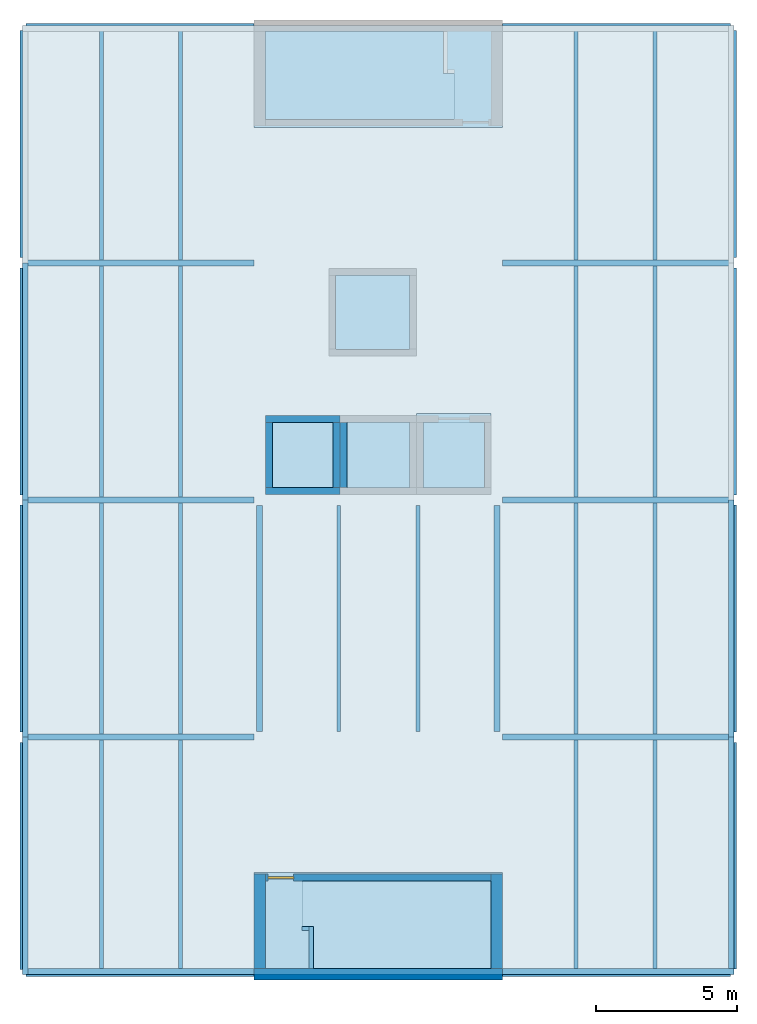
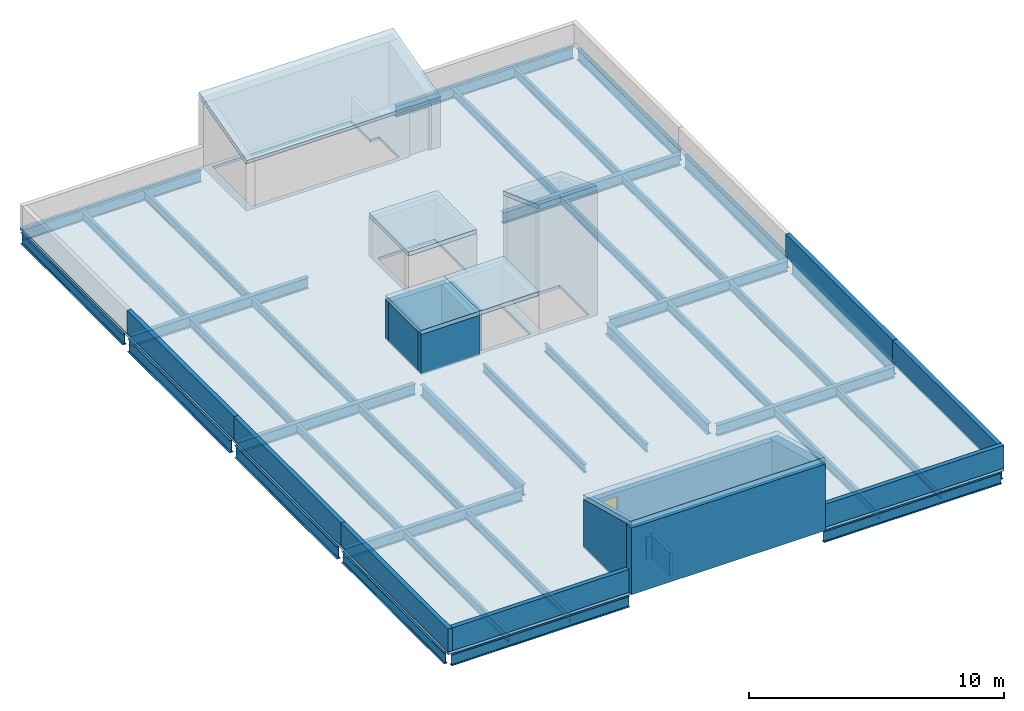
# One storey, part 1 of 3: 38 beams, 18 walls, 7 slabs, 1 door, 1 opening.
"""IFC4 building model written with IfcOpenShell, lengths in metres."""

from ifc_helpers import new_model, si_unit, direction, frame, frame_2d, origin, origin_2d, place, context, subcontext, project, spatial, polyline, rectangle, i_section, outline, extrude, material, layer, layer_set, material_profile, profile_set, type_object, element, fill, save


model = new_model("IFC4")

# Units and contexts
model_context = context("Model", 3, precision=1e-05, world=origin(), true_north=direction((0.0, 1.0)))
body_context = subcontext(model_context, "Body", "Model", "MODEL_VIEW")
ifc_project = project(units=[si_unit("LENGTHUNIT", "METRE"), si_unit("AREAUNIT", "SQUARE_METRE"), si_unit("VOLUMEUNIT", "CUBIC_METRE"), si_unit("PLANEANGLEUNIT", "RADIAN"), si_unit("MASSUNIT", "GRAM", prefix="KILO")], contexts=[model_context])

# Site, building, storey
site_placement = place(None, origin())
site = spatial("IfcSite", under=ifc_project, at=site_placement, CompositionType="ELEMENT")
building_placement = place(site_placement, origin())
building = spatial("IfcBuilding", under=site, at=building_placement, Name="Hlaing Beacon Police Headquarters", CompositionType="ELEMENT")
storey_placement = place(building_placement, frame((0.0, 0.0, 41.39990234375)))
storey = spatial("IfcBuildingStorey", under=building, at=storey_placement, Name="ROOF", CompositionType="ELEMENT", Elevation=41.39990234375)

# Beams
ifc_material_1 = material(Name="Steel ASTM A992 Grade 50", Category="steel")
ifc_material_profile_1 = material_profile(ifc_material_1, i_section(OverallWidth=0.1650390625, OverallDepth=0.52587890625, WebThickness=0.0087890625, FlangeThickness=0.011474609375, FilletRadius=0.0126953125, at=origin_2d()), Name="W21x44")
ifc_profile_set_1 = profile_set([ifc_material_profile_1], Name="Steel ASTM A992 Grade 50")
beam_type_1 = type_object("IfcBeamType", Name="Girder W21x44", PredefinedType="BEAM", material=ifc_profile_set_1)
beam_1_placement = place(storey_placement, frame((100.927001953125, 33.60009765625, -0.392822265625), z_axis=(1.0, 0.0, 0.0), x_axis=(0.0, 1.0, 0.0)))
element("IfcBeam", 1, at=beam_1_placement, inside=storey, type_object=beam_type_1, Name="STR-BM-ROOF-GX-N5-P5", PredefinedType="BEAM", context=body_context, shape_type="SweptSolid", body=[
    extrude(i_section(OverallWidth=0.1650390625, OverallDepth=0.52587890625, WebThickness=0.0087890625, FlangeThickness=0.011474609375, FilletRadius=0.0126953125, at=origin_2d()), origin(), (0.0, 0.0, 1.0), 8.072998046875),
])
beam_2_placement = place(storey_placement, frame((117.800048828125, 33.60009765625, -0.392822265625), z_axis=(1.0, 0.0, 0.0), x_axis=(0.0, 1.0, 0.0)))
element("IfcBeam", 2, at=beam_2_placement, inside=storey, type_object=beam_type_1, Name="STR-BM-ROOF-GX-Q5-R5", PredefinedType="BEAM", context=body_context, shape_type="SweptSolid", body=[
    extrude(i_section(OverallWidth=0.1650390625, OverallDepth=0.52587890625, WebThickness=0.0087890625, FlangeThickness=0.011474609375, FilletRadius=0.0126953125, at=origin_2d()), origin(), (0.0, 0.0, 1.0), 8.072021484375),
])
for number, where, z_axis, x_axis, name in (
    (3, (100.927001953125, 67.199951171875, -0.392822265625), (1.0, 0.0, 0.0), (0.0, 1.0, 0.0), "STR-BM-ROOF-GX-N9-P9"),
    (4, (117.800048828125, 67.199951171875, -0.392822265625), (1.0, 0.0, 0.0), (0.0, 1.0, 0.0), "STR-BM-ROOF-GX-Q9-R9"),
):
    element("IfcBeam", number, at=place(storey_placement, frame(where, z_axis=z_axis, x_axis=x_axis)), inside=storey, type_object=beam_type_1, Name=name, PredefinedType="BEAM", context=body_context, shape_type="SweptSolid", body=[
        extrude(i_section(OverallWidth=0.1650390625, OverallDepth=0.52587890625, WebThickness=0.0087890625, FlangeThickness=0.011474609375, FilletRadius=0.0126953125, at=origin_2d()), origin(), (0.0, 0.0, 1.0), 8.072998046875),
    ])
for number, where, z_axis, x_axis, name in (
    (5, (100.800048828125, 33.777099609375, -0.392822265625), (0.0, 1.0, 0.0), (-1.0, 0.0, 0.0), "STR-BM-ROOF-GY-N5-N6"),
    (6, (100.800048828125, 58.98193359375, -0.392822265625), (0.0, 1.0, 0.0), (-1.0, 0.0, 0.0), "STR-BM-ROOF-GY-N8-N9"),
):
    element("IfcBeam", number, at=place(storey_placement, frame(where, z_axis=z_axis, x_axis=x_axis)), inside=storey, type_object=beam_type_1, Name=name, PredefinedType="BEAM", context=body_context, shape_type="SweptSolid", body=[
        extrude(i_section(OverallWidth=0.1650390625, OverallDepth=0.52587890625, WebThickness=0.0087890625, FlangeThickness=0.011474609375, FilletRadius=0.0126953125, at=origin_2d()), origin(), (0.0, 0.0, 1.0), 8.041015625),
    ])
beam_3_placement = place(storey_placement, frame((126.0, 33.781982421875, -0.392822265625), z_axis=(0.0, 1.0, 0.0), x_axis=(-1.0, 0.0, 0.0)))
element("IfcBeam", 7, at=beam_3_placement, inside=storey, type_object=beam_type_1, Name="STR-BM-ROOF-GY-R5-R6", PredefinedType="BEAM", context=body_context, shape_type="SweptSolid", body=[
    extrude(i_section(OverallWidth=0.1650390625, OverallDepth=0.52587890625, WebThickness=0.0087890625, FlangeThickness=0.011474609375, FilletRadius=0.0126953125, at=origin_2d()), origin(), (0.0, 0.0, 1.0), 8.0361328125),
])
beam_4_placement = place(storey_placement, frame((126.0, 58.98193359375, -0.392822265625), z_axis=(0.0, 1.0, 0.0), x_axis=(-1.0, 0.0, 0.0)))
element("IfcBeam", 8, at=beam_4_placement, inside=storey, type_object=beam_type_1, Name="STR-BM-ROOF-GY-R8-R9", PredefinedType="BEAM", context=body_context, shape_type="SweptSolid", body=[
    extrude(i_section(OverallWidth=0.1650390625, OverallDepth=0.52587890625, WebThickness=0.0087890625, FlangeThickness=0.011474609375, FilletRadius=0.0126953125, at=origin_2d()), origin(), (0.0, 0.0, 1.0), 8.041015625),
])
ifc_material_2 = material(Name="Steel ASTM A992 Grade 50", Category="steel")
ifc_material_profile_2 = material_profile(ifc_material_2, i_section(OverallWidth=0.208740234375, OverallDepth=0.5283203125, WebThickness=0.009521484375, FlangeThickness=0.01318359375, FilletRadius=0.0126953125, at=origin_2d()), Name="W21x55")
ifc_profile_set_2 = profile_set([ifc_material_profile_2], Name="Steel ASTM A992 Grade 50")
beam_type_2 = type_object("IfcBeamType", Name="Girder W21x55", PredefinedType="BEAM", material=ifc_profile_set_2)
for number, where, z_axis, x_axis, name in (
    (9, (100.927978515625, 42.0, -0.39404296875), (1.0, 0.0, 0.0), (0.0, 1.0, 0.0), "STR-BM-ROOF-GX-N6-P6"),
    (10, (117.800048828125, 42.0, -0.39404296875), (1.0, 0.0, 0.0), (0.0, 1.0, 0.0), "STR-BM-ROOF-GX-Q6-R6"),
    (11, (100.927978515625, 50.39990234375, -0.39404296875), (1.0, 0.0, 0.0), (0.0, 1.0, 0.0), "STR-BM-ROOF-GX-N7-P7"),
    (12, (117.800048828125, 50.39990234375, -0.39404296875), (1.0, 0.0, 0.0), (0.0, 1.0, 0.0), "STR-BM-ROOF-GX-Q7-R7"),
    (13, (100.927978515625, 58.800048828125, -0.39404296875), (1.0, 0.0, 0.0), (0.0, 1.0, 0.0), "STR-BM-ROOF-GX-N8-P8"),
    (14, (117.800048828125, 58.800048828125, -0.39404296875), (1.0, 0.0, 0.0), (0.0, 1.0, 0.0), "STR-BM-ROOF-GX-Q8-R8"),
):
    element("IfcBeam", number, at=place(storey_placement, frame(where, z_axis=z_axis, x_axis=x_axis)), inside=storey, type_object=beam_type_2, Name=name, PredefinedType="BEAM", context=body_context, shape_type="SweptSolid", body=[
        extrude(i_section(OverallWidth=0.208740234375, OverallDepth=0.5283203125, WebThickness=0.009521484375, FlangeThickness=0.01318359375, FilletRadius=0.0126953125, at=origin_2d()), origin(), (0.0, 0.0, 1.0), 8.072021484375),
    ])
for number, where, z_axis, x_axis, name in (
    (15, (109.199951171875, 42.199951171875, -0.39404296875), (0.0, 1.0, 0.0), (-1.0, 0.0, 0.0), "STR-BM-ROOF-GY-P6-P7"),
    (16, (117.60009765625, 42.199951171875, -0.39404296875), (0.0, 1.0, 0.0), (-1.0, 0.0, 0.0), "STR-BM-ROOF-GY-Q6-Q7"),
):
    element("IfcBeam", number, at=place(storey_placement, frame(where, z_axis=z_axis, x_axis=x_axis)), inside=storey, type_object=beam_type_2, Name=name, PredefinedType="BEAM", context=body_context, shape_type="SweptSolid", body=[
        extrude(i_section(OverallWidth=0.208740234375, OverallDepth=0.5283203125, WebThickness=0.009521484375, FlangeThickness=0.01318359375, FilletRadius=0.0126953125, at=origin_2d()), origin(), (0.0, 0.0, 1.0), 8.0),
    ])
ifc_material_3 = material(Name="Steel ASTM A992 Grade 50", Category="steel")
ifc_material_profile_3 = material_profile(ifc_material_3, i_section(OverallWidth=0.177978515625, OverallDepth=0.599365234375, WebThickness=0.010009765625, FlangeThickness=0.012939453125, FilletRadius=0.012939453125, at=origin_2d()), Name="W24x55")
ifc_profile_set_3 = profile_set([ifc_material_profile_3], Name="Steel ASTM A992 Grade 50")
beam_type_3 = type_object("IfcBeamType", Name="Girder W24x55", PredefinedType="BEAM", material=ifc_profile_set_3)
beam_5_placement = place(storey_placement, frame((100.800048828125, 42.181884765625, -0.4296875), z_axis=(0.0, 1.0, 0.0), x_axis=(-1.0, 0.0, 0.0)))
element("IfcBeam", 17, at=beam_5_placement, inside=storey, type_object=beam_type_3, Name="STR-BM-ROOF-GY-N6-N7", PredefinedType="BEAM", context=body_context, shape_type="SweptSolid", body=[
    extrude(i_section(OverallWidth=0.177978515625, OverallDepth=0.599365234375, WebThickness=0.010009765625, FlangeThickness=0.012939453125, FilletRadius=0.012939453125, at=origin_2d()), origin(), (0.0, 0.0, 1.0), 8.0361328125),
])
beam_6_placement = place(storey_placement, frame((100.800048828125, 50.58203125, -0.4296875), z_axis=(0.0, 1.0, 0.0), x_axis=(-1.0, 0.0, 0.0)))
element("IfcBeam", 18, at=beam_6_placement, inside=storey, type_object=beam_type_3, Name="STR-BM-ROOF-GY-N7-N8", PredefinedType="BEAM", context=body_context, shape_type="SweptSolid", body=[
    extrude(i_section(OverallWidth=0.177978515625, OverallDepth=0.599365234375, WebThickness=0.010009765625, FlangeThickness=0.012939453125, FilletRadius=0.012939453125, at=origin_2d()), origin(), (0.0, 0.0, 1.0), 8.035888671875),
])
beam_7_placement = place(storey_placement, frame((126.0, 42.181884765625, -0.4296875), z_axis=(0.0, 1.0, 0.0), x_axis=(-1.0, 0.0, 0.0)))
element("IfcBeam", 19, at=beam_7_placement, inside=storey, type_object=beam_type_3, Name="STR-BM-ROOF-GY-R6-R7", PredefinedType="BEAM", context=body_context, shape_type="SweptSolid", body=[
    extrude(i_section(OverallWidth=0.177978515625, OverallDepth=0.599365234375, WebThickness=0.010009765625, FlangeThickness=0.012939453125, FilletRadius=0.012939453125, at=origin_2d()), origin(), (0.0, 0.0, 1.0), 8.0361328125),
])
beam_8_placement = place(storey_placement, frame((126.0, 50.58203125, -0.4296875), z_axis=(0.0, 1.0, 0.0), x_axis=(-1.0, 0.0, 0.0)))
element("IfcBeam", 20, at=beam_8_placement, inside=storey, type_object=beam_type_3, Name="STR-BM-ROOF-GY-R7-R8", PredefinedType="BEAM", context=body_context, shape_type="SweptSolid", body=[
    extrude(i_section(OverallWidth=0.177978515625, OverallDepth=0.599365234375, WebThickness=0.010009765625, FlangeThickness=0.012939453125, FilletRadius=0.012939453125, at=origin_2d()), origin(), (0.0, 0.0, 1.0), 8.035888671875),
])
ifc_material_4 = material(Name="Steel ASTM A992 Grade 50", Category="steel")
ifc_material_profile_4 = material_profile(ifc_material_4, i_section(OverallWidth=0.1396484375, OverallDepth=0.398681640625, WebThickness=0.00634765625, FlangeThickness=0.0087890625, FilletRadius=0.01025390625, at=origin_2d()), Name="W16x26")
ifc_profile_set_4 = profile_set([ifc_material_profile_4], Name="Steel ASTM A992 Grade 50")
beam_type_4 = type_object("IfcBeamType", Name="Secondary beam W16x26", PredefinedType="BEAM", material=ifc_profile_set_4)
for number, where, z_axis, x_axis, name in (
    (21, (103.60009765625, 33.68310546875, -0.329345703125), (0.0, 1.0, 0.0), (-1.0, 0.0, 0.0), "STR-BM-ROOF-SB-N5-y1"),
    (22, (106.39990234375, 33.68310546875, -0.329345703125), (0.0, 1.0, 0.0), (-1.0, 0.0, 0.0), "STR-BM-ROOF-SB-N5-y2"),
):
    element("IfcBeam", number, at=place(storey_placement, frame(where, z_axis=z_axis, x_axis=x_axis)), inside=storey, type_object=beam_type_4, Name=name, PredefinedType="BEAM", context=body_context, shape_type="SweptSolid", body=[
        extrude(i_section(OverallWidth=0.1396484375, OverallDepth=0.398681640625, WebThickness=0.00634765625, FlangeThickness=0.0087890625, FilletRadius=0.01025390625, at=origin_2d()), origin(), (0.0, 0.0, 1.0), 8.212890625),
    ])
for number, where, z_axis, x_axis, name in (
    (23, (103.60009765625, 42.10400390625, -0.329345703125), (0.0, 1.0, 0.0), (-1.0, 0.0, 0.0), "STR-BM-ROOF-SB-N6-y1"),
    (24, (106.39990234375, 42.10400390625, -0.329345703125), (0.0, 1.0, 0.0), (-1.0, 0.0, 0.0), "STR-BM-ROOF-SB-N6-y2"),
):
    element("IfcBeam", number, at=place(storey_placement, frame(where, z_axis=z_axis, x_axis=x_axis)), inside=storey, type_object=beam_type_4, Name=name, PredefinedType="BEAM", context=body_context, shape_type="SweptSolid", body=[
        extrude(i_section(OverallWidth=0.1396484375, OverallDepth=0.398681640625, WebThickness=0.00634765625, FlangeThickness=0.0087890625, FilletRadius=0.01025390625, at=origin_2d()), origin(), (0.0, 0.0, 1.0), 8.19189453125),
    ])
for number, where, z_axis, x_axis, name in (
    (25, (103.60009765625, 50.50390625, -0.329345703125), (0.0, 1.0, 0.0), (-1.0, 0.0, 0.0), "STR-BM-ROOF-SB-N7-y1"),
    (26, (106.39990234375, 50.50390625, -0.329345703125), (0.0, 1.0, 0.0), (-1.0, 0.0, 0.0), "STR-BM-ROOF-SB-N7-y2"),
):
    element("IfcBeam", number, at=place(storey_placement, frame(where, z_axis=z_axis, x_axis=x_axis)), inside=storey, type_object=beam_type_4, Name=name, PredefinedType="BEAM", context=body_context, shape_type="SweptSolid", body=[
        extrude(i_section(OverallWidth=0.1396484375, OverallDepth=0.398681640625, WebThickness=0.00634765625, FlangeThickness=0.0087890625, FilletRadius=0.01025390625, at=origin_2d()), origin(), (0.0, 0.0, 1.0), 8.192138671875),
    ])
for number, where, z_axis, x_axis, name in (
    (27, (103.60009765625, 58.904052734375, -0.329345703125), (0.0, 1.0, 0.0), (-1.0, 0.0, 0.0), "STR-BM-ROOF-SB-N8-y1"),
    (28, (106.39990234375, 58.904052734375, -0.329345703125), (0.0, 1.0, 0.0), (-1.0, 0.0, 0.0), "STR-BM-ROOF-SB-N8-y2"),
):
    element("IfcBeam", number, at=place(storey_placement, frame(where, z_axis=z_axis, x_axis=x_axis)), inside=storey, type_object=beam_type_4, Name=name, PredefinedType="BEAM", context=body_context, shape_type="SweptSolid", body=[
        extrude(i_section(OverallWidth=0.1396484375, OverallDepth=0.398681640625, WebThickness=0.00634765625, FlangeThickness=0.0087890625, FilletRadius=0.01025390625, at=origin_2d()), origin(), (0.0, 0.0, 1.0), 8.212890625),
    ])
for number, where, z_axis, x_axis, name in (
    (29, (112.0, 42.199951171875, -0.329345703125), (0.0, 1.0, 0.0), (-1.0, 0.0, 0.0), "STR-BM-ROOF-SB-P6-y1"),
    (30, (114.800048828125, 42.199951171875, -0.329345703125), (0.0, 1.0, 0.0), (-1.0, 0.0, 0.0), "STR-BM-ROOF-SB-P6-y2"),
):
    element("IfcBeam", number, at=place(storey_placement, frame(where, z_axis=z_axis, x_axis=x_axis)), inside=storey, type_object=beam_type_4, Name=name, PredefinedType="BEAM", context=body_context, shape_type="SweptSolid", body=[
        extrude(i_section(OverallWidth=0.1396484375, OverallDepth=0.398681640625, WebThickness=0.00634765625, FlangeThickness=0.0087890625, FilletRadius=0.01025390625, at=origin_2d()), origin(), (0.0, 0.0, 1.0), 8.0),
    ])
for number, where, z_axis, x_axis, name in (
    (31, (120.39990234375, 33.68310546875, -0.329345703125), (0.0, 1.0, 0.0), (-1.0, 0.0, 0.0), "STR-BM-ROOF-SB-Q5-y1"),
    (32, (123.199951171875, 33.68310546875, -0.329345703125), (0.0, 1.0, 0.0), (-1.0, 0.0, 0.0), "STR-BM-ROOF-SB-Q5-y2"),
):
    element("IfcBeam", number, at=place(storey_placement, frame(where, z_axis=z_axis, x_axis=x_axis)), inside=storey, type_object=beam_type_4, Name=name, PredefinedType="BEAM", context=body_context, shape_type="SweptSolid", body=[
        extrude(i_section(OverallWidth=0.1396484375, OverallDepth=0.398681640625, WebThickness=0.00634765625, FlangeThickness=0.0087890625, FilletRadius=0.01025390625, at=origin_2d()), origin(), (0.0, 0.0, 1.0), 8.212890625),
    ])
for number, where, z_axis, x_axis, name in (
    (33, (120.39990234375, 42.10400390625, -0.329345703125), (0.0, 1.0, 0.0), (-1.0, 0.0, 0.0), "STR-BM-ROOF-SB-Q6-y1"),
    (34, (123.199951171875, 42.10400390625, -0.329345703125), (0.0, 1.0, 0.0), (-1.0, 0.0, 0.0), "STR-BM-ROOF-SB-Q6-y2"),
):
    element("IfcBeam", number, at=place(storey_placement, frame(where, z_axis=z_axis, x_axis=x_axis)), inside=storey, type_object=beam_type_4, Name=name, PredefinedType="BEAM", context=body_context, shape_type="SweptSolid", body=[
        extrude(i_section(OverallWidth=0.1396484375, OverallDepth=0.398681640625, WebThickness=0.00634765625, FlangeThickness=0.0087890625, FilletRadius=0.01025390625, at=origin_2d()), origin(), (0.0, 0.0, 1.0), 8.19189453125),
    ])
for number, where, z_axis, x_axis, name in (
    (35, (120.39990234375, 50.50390625, -0.329345703125), (0.0, 1.0, 0.0), (-1.0, 0.0, 0.0), "STR-BM-ROOF-SB-Q7-y1"),
    (36, (123.199951171875, 50.50390625, -0.329345703125), (0.0, 1.0, 0.0), (-1.0, 0.0, 0.0), "STR-BM-ROOF-SB-Q7-y2"),
):
    element("IfcBeam", number, at=place(storey_placement, frame(where, z_axis=z_axis, x_axis=x_axis)), inside=storey, type_object=beam_type_4, Name=name, PredefinedType="BEAM", context=body_context, shape_type="SweptSolid", body=[
        extrude(i_section(OverallWidth=0.1396484375, OverallDepth=0.398681640625, WebThickness=0.00634765625, FlangeThickness=0.0087890625, FilletRadius=0.01025390625, at=origin_2d()), origin(), (0.0, 0.0, 1.0), 8.192138671875),
    ])
for number, where, z_axis, x_axis, name in (
    (37, (120.39990234375, 58.904052734375, -0.329345703125), (0.0, 1.0, 0.0), (-1.0, 0.0, 0.0), "STR-BM-ROOF-SB-Q8-y1"),
    (38, (123.199951171875, 58.904052734375, -0.329345703125), (0.0, 1.0, 0.0), (-1.0, 0.0, 0.0), "STR-BM-ROOF-SB-Q8-y2"),
):
    element("IfcBeam", number, at=place(storey_placement, frame(where, z_axis=z_axis, x_axis=x_axis)), inside=storey, type_object=beam_type_4, Name=name, PredefinedType="BEAM", context=body_context, shape_type="SweptSolid", body=[
        extrude(i_section(OverallWidth=0.1396484375, OverallDepth=0.398681640625, WebThickness=0.00634765625, FlangeThickness=0.0087890625, FilletRadius=0.01025390625, at=origin_2d()), origin(), (0.0, 0.0, 1.0), 8.212890625),
    ])

# Slabs
ifc_material_5 = material(Name="Concrete C40/50", Category="concrete")
ifc_layer_1 = layer(ifc_material_5, 0.199951171875)
ifc_layer_set_1 = layer_set([ifc_layer_1], Name="Concrete C40/50")
slab_type_1 = type_object("IfcSlabType", Name="Lift penthouse roof slab 200", PredefinedType="ROOF", material=ifc_layer_set_1)
slab_1_placement = place(storey_placement, frame((114.75, 50.66845703125, 6.20703125), z_axis=(0.0, 0.341993039788, 0.939702485224), x_axis=(1.0, 0.0, 0.0)))
element("IfcSlab", 39, at=slab_1_placement, inside=storey, type_object=slab_type_1, Name="Lift penthouse roof", PredefinedType="ROOF", context=body_context, shape_type="SweptSolid", body=[
    extrude(outline(polyline([(0.0, 0.0), (2.64990234375, 0.0), (2.64990234375, 2.9797184450956102), (0.0, 2.9797184450956102), (0.0, 0.0)])), origin(), (0.0, 0.0, -1.0), 0.199951171875),
])
ifc_material_6 = material(Name="Concrete C40/50", Category="concrete")
ifc_layer_2 = layer(ifc_material_6, 0.199951171875)
ifc_layer_set_2 = layer_set([ifc_layer_2], Name="Concrete C40/50")
slab_type_2 = type_object("IfcSlabType", Name="Overrun roof slab 200", PredefinedType="ROOF", material=ifc_layer_set_2)
slab_2_placement = place(storey_placement, frame((0.0, 0.0, 1.900146484375)))
element("IfcSlab", 40, at=slab_2_placement, inside=storey, type_object=slab_type_2, Name="Lift overrun roof", PredefinedType="ROOF", context=body_context, shape_type="SweptSolid", body=[
    extrude(outline(polyline([(111.64990234375, 55.5), (114.75, 55.5), (114.75, 58.60009765625), (111.64990234375, 58.60009765625), (111.64990234375, 55.5)])), origin(), (0.0, 0.0, 1.0), 0.199951171875),
])
slab_3_placement = place(storey_placement, frame((0.0, 0.0, 1.900146484375)))
element("IfcSlab", 41, at=slab_3_placement, inside=storey, type_object=slab_type_2, Name="Lift overrun roof", PredefinedType="ROOF", context=body_context, shape_type="SweptSolid", body=[
    extrude(outline(polyline([(109.39990234375, 50.60009765625), (112.050048828125, 50.60009765625), (112.050048828125, 53.39990234375), (109.39990234375, 53.39990234375), (109.39990234375, 50.60009765625)])), origin(), (0.0, 0.0, 1.0), 0.199951171875),
])
slab_4_placement = place(storey_placement, frame((0.0, 0.0, 1.900146484375)))
element("IfcSlab", 42, at=slab_4_placement, inside=storey, type_object=slab_type_2, Name="Lift overrun roof", PredefinedType="ROOF", context=body_context, shape_type="SweptSolid", body=[
    extrude(outline(polyline([(112.050048828125, 50.60009765625), (114.75, 50.60009765625), (114.75, 53.39990234375), (112.050048828125, 53.39990234375), (112.050048828125, 50.60009765625)])), origin(), (0.0, 0.0, 1.0), 0.199951171875),
])
ifc_material_7 = material(Name="Concrete C40/50", Category="concrete")
ifc_layer_3 = layer(ifc_material_7, 0.1298828125)
ifc_layer_set_3 = layer_set([ifc_layer_3], Name="Concrete C40/50")
slab_type_3 = type_object("IfcSlabType", Name="Roof deck slab 130", PredefinedType="ROOF", material=ifc_layer_set_3)
slab_5_placement = place(storey_placement, frame((0.0, 0.0, -0.1298828125)))
element("IfcSlab", 43, at=slab_5_placement, inside=storey, type_object=slab_type_3, Name="STR-SLAB-ROOF-01", PredefinedType="ROOF", context=body_context, shape_type="SweptSolid", body=[
    extrude(outline(polyline([(100.800048828125, 33.60009765625), (126.0, 33.60009765625), (126.0, 67.199951171875), (100.800048828125, 67.199951171875), (100.800048828125, 33.60009765625)]), holes=[polyline([(109.39990234375, 63.89990234375), (116.090087890625, 63.89990234375), (116.090087890625, 65.5), (115.699951171875, 65.5), (115.699951171875, 67.0), (109.39990234375, 67.0), (109.39990234375, 63.89990234375)]), polyline([(109.64990234375, 50.85009765625), (111.800048828125, 50.85009765625), (111.800048828125, 53.14990234375), (109.64990234375, 53.14990234375), (109.64990234375, 50.85009765625)]), polyline([(111.10009765625, 33.800048828125), (117.39990234375, 33.800048828125), (117.39990234375, 36.89990234375), (110.7099609375, 36.89990234375), (110.7099609375, 35.300048828125), (111.10009765625, 35.300048828125), (111.10009765625, 33.800048828125)]), polyline([(111.89990234375, 55.75), (114.5, 55.75), (114.5, 58.35009765625), (111.89990234375, 58.35009765625), (111.89990234375, 55.75)]), polyline([(112.300048828125, 50.85009765625), (114.5, 50.85009765625), (114.5, 53.14990234375), (112.300048828125, 53.14990234375), (112.300048828125, 50.85009765625)]), polyline([(115.0, 50.85009765625), (117.14990234375, 50.85009765625), (117.14990234375, 53.14990234375), (115.0, 53.14990234375), (115.0, 50.85009765625)])]), origin(), (0.0, 0.0, 1.0), 0.1298828125),
])
ifc_material_8 = material(Name="Concrete C40/50", Category="concrete")
ifc_layer_4 = layer(ifc_material_8, 0.199951171875)
ifc_layer_set_4 = layer_set([ifc_layer_4], Name="Concrete C40/50")
slab_type_4 = type_object("IfcSlabType", Name="Stair head-house roof slab 200", PredefinedType="ROOF", material=ifc_layer_set_4)
for number, where, z_axis, x_axis, name in (
    (44, (117.800048828125, 67.34814453125, 3.498046875), (0.0, -0.258777996848, 0.965936824201), (-1.0, 0.0, 0.0), "Stair head-house roof"),
    (45, (109.0, 33.451904296875, 3.498046875), (0.0, 0.258777996848, 0.965936824201), (1.0, 0.0, 0.0), "Stair head-house roof"),
):
    element("IfcSlab", number, at=place(storey_placement, frame(where, z_axis=z_axis, x_axis=x_axis)), inside=storey, type_object=slab_type_4, Name=name, PredefinedType="ROOF", context=body_context, shape_type="SweptSolid", body=[
        extrude(outline(polyline([(0.0, 0.0), (8.800048828125, 0.0), (8.800048828125, 3.882241473817255), (0.0, 3.882241473817255), (0.0, 0.0)])), origin(), (0.0, 0.0, -1.0), 0.199951171875),
    ])

# Walls
ifc_material_9 = material(Name="Concrete C40/50", Category="concrete")
ifc_layer_5 = layer(ifc_material_9, 0.39990234375)
ifc_layer_set_5 = layer_set([ifc_layer_5], Name="Concrete C40/50")
wall_type_1 = type_object("IfcWallType", Name="Head-house wall 400", PredefinedType="SOLIDWALL", material=ifc_layer_set_5)
wall_1_placement = place(storey_placement, frame((109.0, 33.60009765625, 0.0), z_axis=(0.0, 0.0, 1.0), x_axis=(1.0, 0.0, 0.0)))
element("IfcWall", 46, at=wall_1_placement, inside=storey, type_object=wall_type_1, Name="Stair head-house wall", PredefinedType="SOLIDWALL", context=body_context, shape_type="SweptSolid", body=[
    extrude(rectangle(XDim=8.800048828125, YDim=0.39990234375, at=frame_2d((4.39990234375, 0.0))), origin(), (0.0, 0.0, 1.0), 3.19775390625),
])
for number, where, z_axis, x_axis, name in (
    (47, (109.199951171875, 33.800048828125, 0.0), (0.0, 0.0, 1.0), (0.0, 1.0, 0.0), "Stair head-house wall"),
    (48, (117.60009765625, 33.800048828125, 0.0), (0.0, 0.0, 1.0), (0.0, 1.0, 0.0), "Stair head-house wall"),
):
    element("IfcWall", number, at=place(storey_placement, frame(where, z_axis=z_axis, x_axis=x_axis)), inside=storey, type_object=wall_type_1, Name=name, PredefinedType="SOLIDWALL", context=body_context, shape_type="SweptSolid", body=[
        extrude(outline(polyline([(0.0, 0.0), (3.349853515625, 0.0), (3.35009765625, 2.300048828125), (0.0, 3.19775390625), (0.0, 0.0)])), frame((0.0, 0.199951171875, 0.0), z_axis=(0.0, -1.0, 0.0), x_axis=(1.0, 0.0, 0.0)), (0.0, 0.0, 1.0), 0.39990234375),
    ])
ifc_material_10 = material(Name="Concrete C40/50", Category="concrete")
ifc_layer_6 = layer(ifc_material_10, 0.199951171875)
ifc_layer_set_6 = layer_set([ifc_layer_6], Name="Concrete C40/50")
wall_type_2 = type_object("IfcWallType", Name="Roof parapet 200", PredefinedType="PARAPET", material=ifc_layer_set_6)
wall_2_placement = place(storey_placement, frame((125.89990234375, 33.800048828125, 0.0), z_axis=(0.0, 0.0, 1.0), x_axis=(0.0, 1.0, 0.0)))
element("IfcWall", 49, at=wall_2_placement, inside=storey, type_object=wall_type_2, Name="Roof parapet V5 0", PredefinedType="PARAPET", context=body_context, shape_type="SweptSolid", body=[
    extrude(rectangle(XDim=8.199951171875, YDim=0.199951171875, at=frame_2d((4.10009765625, 0.0))), origin(), (0.0, 0.0, 1.0), 1.10009765625),
])
wall_3_placement = place(storey_placement, frame((125.89990234375, 42.0, 0.0), z_axis=(0.0, 0.0, 1.0), x_axis=(0.0, 1.0, 0.0)))
element("IfcWall", 50, at=wall_3_placement, inside=storey, type_object=wall_type_2, Name="Roof parapet V5 1", PredefinedType="PARAPET", context=body_context, shape_type="SweptSolid", body=[
    extrude(rectangle(XDim=8.39990234375, YDim=0.199951171875, at=frame_2d((4.199951171875, 0.0))), origin(), (0.0, 0.0, 1.0), 1.10009765625),
])
wall_4_placement = place(storey_placement, frame((100.89990234375, 58.800048828125, 0.0), z_axis=(0.0, 0.0, 1.0), x_axis=(0.0, -1.0, 0.0)))
element("IfcWall", 51, at=wall_4_placement, inside=storey, type_object=wall_type_2, Name="Roof parapet V5 7", PredefinedType="PARAPET", context=body_context, shape_type="SweptSolid", body=[
    extrude(rectangle(XDim=8.400146484375, YDim=0.199951171875, at=frame_2d((4.2001953125, 0.0))), origin(), (0.0, 0.0, 1.0), 1.10009765625),
])
for number, where, z_axis, x_axis, name in (
    (52, (100.89990234375, 50.39990234375, 0.0), (0.0, 0.0, 1.0), (0.0, -1.0, 0.0), "Roof parapet V5 8"),
    (53, (100.89990234375, 42.0, 0.0), (0.0, 0.0, 1.0), (0.0, -1.0, 0.0), "Roof parapet V5 9"),
):
    element("IfcWall", number, at=place(storey_placement, frame(where, z_axis=z_axis, x_axis=x_axis)), inside=storey, type_object=wall_type_2, Name=name, PredefinedType="PARAPET", context=body_context, shape_type="SweptSolid", body=[
        extrude(rectangle(XDim=8.39990234375, YDim=0.199951171875, at=frame_2d((4.199951171875, 0.0))), origin(), (0.0, 0.0, 1.0), 1.10009765625),
    ])
wall_5_placement = place(storey_placement, frame((101.0, 33.699951171875, 0.0), z_axis=(0.0, 0.0, 1.0), x_axis=(1.0, 0.0, 0.0)))
element("IfcWall", 54, at=wall_5_placement, inside=storey, type_object=wall_type_2, Name="Roof parapet V5 10", PredefinedType="PARAPET", context=body_context, shape_type="SweptSolid", body=[
    extrude(rectangle(XDim=8.0, YDim=0.199951171875, at=frame_2d((4.0, 0.0))), origin(), (0.0, 0.0, 1.0), 1.10009765625),
])
wall_6_placement = place(storey_placement, frame((117.800048828125, 33.699951171875, 0.0), z_axis=(0.0, 0.0, 1.0), x_axis=(1.0, 0.0, 0.0)))
element("IfcWall", 55, at=wall_6_placement, inside=storey, type_object=wall_type_2, Name="Roof parapet V5 11", PredefinedType="PARAPET", context=body_context, shape_type="SweptSolid", body=[
    extrude(rectangle(XDim=8.199951171875, YDim=0.199951171875, at=frame_2d((4.10009765625, 0.0))), origin(), (0.0, 0.0, 1.0), 1.10009765625),
])

# Wall, opening, door
ifc_material_11 = material(Name="Concrete C40/50", Category="concrete")
ifc_layer_7 = layer(ifc_material_11, 0.25)
ifc_layer_set_7 = layer_set([ifc_layer_7], Name="Concrete C40/50")
wall_type_3 = type_object("IfcWallType", Name="Shaft wall 250", PredefinedType="SOLIDWALL", material=ifc_layer_set_7)
wall_7_placement = place(storey_placement, frame((109.39990234375, 37.02490234375, 0.0), z_axis=(0.0, 0.0, 1.0), x_axis=(1.0, 0.0, 0.0)))
wall_7 = element("IfcWall", 56, at=wall_7_placement, inside=storey, type_object=wall_type_3, Name="Stair head-house wall", PredefinedType="SOLIDWALL", context=body_context, shape_type="SweptSolid", body=[
    extrude(rectangle(XDim=8.0, YDim=0.25, at=frame_2d((4.0, 0.0))), origin(), (0.0, 0.0, 1.0), 2.300048828125),
])
opening_placement = place(wall_7_placement, frame((0.10009765625, 0.0, 0.0)))
opening = element("IfcOpeningElement", 57, at=opening_placement, cuts=wall_7, Name="Opening ROOF-902", PredefinedType="OPENING", context=body_context, shape_type="SweptSolid", body=[
    extrude(rectangle(XDim=0.89990234375, YDim=2.10009765625, at=frame_2d((0.449951171875, 1.050048828125))), frame((0.0, 0.135009765625, 0.0), z_axis=(0.0, -1.0, 0.0), x_axis=(1.0, 0.0, 0.0)), (0.0, 0.0, 1.0), 0.27001953125),
])
ifc_material_12 = material(Name="Steel fire door leaf", Category="steel")
ifc_layer_8 = layer(ifc_material_12, 0.070068359375)
ifc_layer_set_8 = layer_set([ifc_layer_8], Name="Steel fire door leaf")
door_type = type_object("IfcDoorType", Name="Steel fire door FD60 900x2100", OperationType="SINGLE_SWING_LEFT", PredefinedType="DOOR", material=ifc_layer_set_8)
door_placement = place(opening_placement, origin())
door = element("IfcDoor", 58, at=door_placement, inside=storey, type_object=door_type, Name="Door Stair ST-L Roof", OperationType="SINGLE_SWING_RIGHT", OverallHeight=2.10009765625, OverallWidth=0.89990234375, PredefinedType="DOOR", context=body_context, shape_type="SweptSolid", body=[
    extrude(rectangle(XDim=0.89990234375, YDim=2.10009765625, at=frame_2d((0.449951171875, 1.050048828125))), frame((0.0, 0.03515625, 0.0), z_axis=(0.0, -1.0, 0.0), x_axis=(1.0, 0.0, 0.0)), (0.0, 0.0, 1.0), 0.070068359375),
])
fill(opening, door)

# Walls
wall_8_placement = place(storey_placement, frame((111.925048828125, 50.85009765625, 0.0), z_axis=(0.0, 0.0, 1.0), x_axis=(0.0, 1.0, 0.0)))
element("IfcWall", 59, at=wall_8_placement, inside=storey, type_object=wall_type_3, Name="Lift overrun wall", PredefinedType="SOLIDWALL", context=body_context, shape_type="SweptSolid", body=[
    extrude(rectangle(XDim=2.2998046875, YDim=0.25, at=frame_2d((1.14990234375, 0.0))), origin(), (0.0, 0.0, 1.0), 1.900146484375),
])
for number, where, z_axis, x_axis, name in (
    (60, (109.39990234375, 53.27490234375, 0.0), (0.0, 0.0, 1.0), (1.0, 0.0, 0.0), "Lift overrun wall"),
    (61, (109.39990234375, 50.72509765625, 0.0), (0.0, 0.0, 1.0), (1.0, 0.0, 0.0), "Lift overrun wall"),
):
    element("IfcWall", number, at=place(storey_placement, frame(where, z_axis=z_axis, x_axis=x_axis)), inside=storey, type_object=wall_type_3, Name=name, PredefinedType="SOLIDWALL", context=body_context, shape_type="SweptSolid", body=[
        extrude(rectangle(XDim=2.650146484375, YDim=0.25, at=frame_2d((1.3251953125, 0.0))), origin(), (0.0, 0.0, 1.0), 1.900146484375),
    ])
for number, where, z_axis, x_axis, name in (
    (62, (109.52490234375, 50.85009765625, 0.0), (0.0, 0.0, 1.0), (0.0, 1.0, 0.0), "Lift overrun wall"),
    (63, (112.175048828125, 50.85009765625, 0.0), (0.0, 0.0, 1.0), (0.0, 1.0, 0.0), "Lift overrun wall"),
):
    element("IfcWall", number, at=place(storey_placement, frame(where, z_axis=z_axis, x_axis=x_axis)), inside=storey, type_object=wall_type_3, Name=name, PredefinedType="SOLIDWALL", context=body_context, shape_type="SweptSolid", body=[
        extrude(rectangle(XDim=2.2998046875, YDim=0.25, at=frame_2d((1.14990234375, 0.0))), origin(), (0.0, 0.0, 1.0), 1.900146484375),
    ])
ifc_material_13 = material(Name="Concrete C40/50", Category="concrete")
ifc_layer_9 = layer(ifc_material_13, 0.14990234375)
ifc_layer_set_9 = layer_set([ifc_layer_9], Name="Concrete C40/50")
wall_type_4 = type_object("IfcWallType", Name="Stair well upstand wall 150", PredefinedType="SOLIDWALL", material=ifc_layer_set_9)
wall_9_placement = place(storey_placement, frame((111.02490234375, 33.800048828125, 0.0), z_axis=(0.0, 0.0, 1.0), x_axis=(0.0, 1.0, 0.0)))
element("IfcWall", 64, at=wall_9_placement, inside=storey, type_object=wall_type_4, Name="Stair well upstand ST-L", PredefinedType="SOLIDWALL", context=body_context, shape_type="SweptSolid", body=[
    extrude(rectangle(XDim=1.5, YDim=0.14990234375, at=frame_2d((0.75, 0.0))), origin(), (0.0, 0.0, 1.0), 1.10009765625),
])
wall_10_placement = place(storey_placement, frame((110.699951171875, 35.22509765625, 0.0), z_axis=(0.0, 0.0, 1.0), x_axis=(1.0, 0.0, 0.0)))
element("IfcWall", 65, at=wall_10_placement, inside=storey, type_object=wall_type_4, Name="Stair well upstand ST-L", PredefinedType="SOLIDWALL", context=body_context, shape_type="SweptSolid", body=[
    extrude(rectangle(XDim=0.25, YDim=0.14990234375, at=frame_2d((0.125, 0.0))), origin(), (0.0, 0.0, 1.0), 1.10009765625),
])

save(model, "model.ifc")
